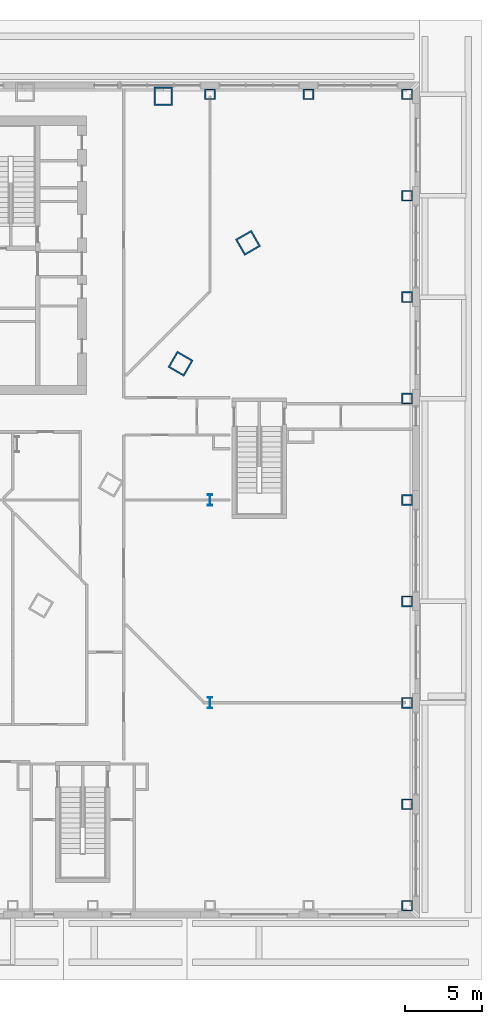
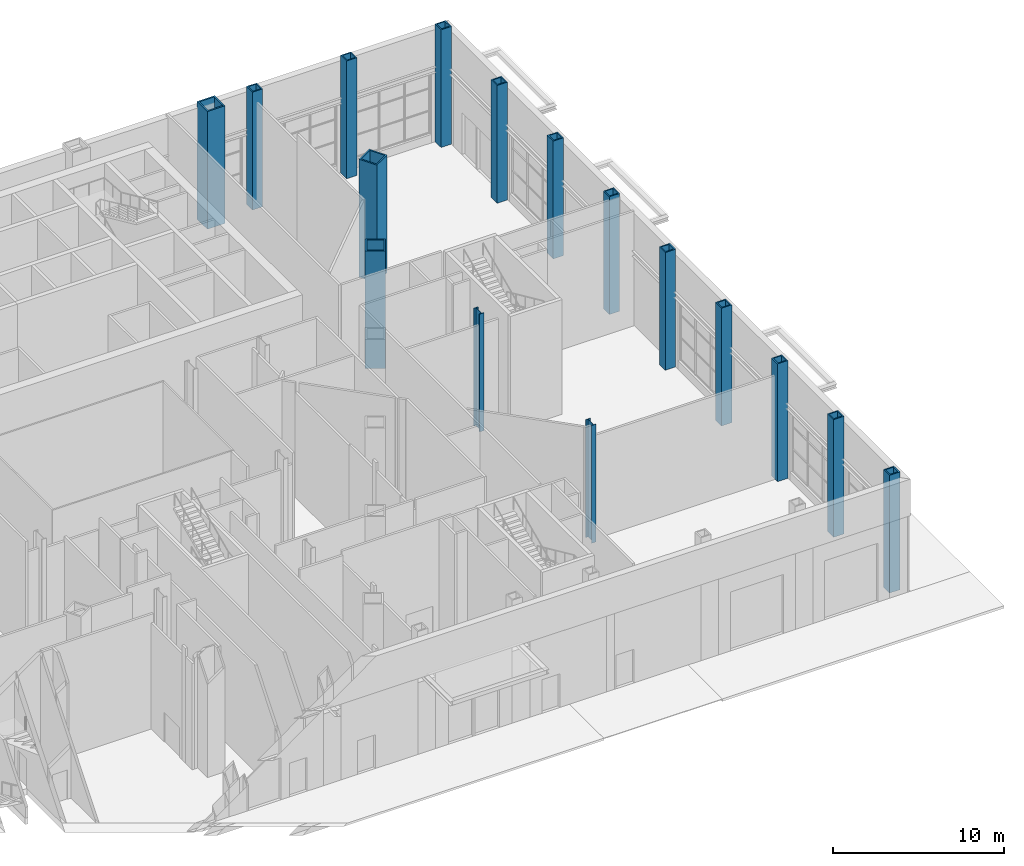
# One storey, part 4 of 34: 16 columns.
"""IFC4 building model written with IfcOpenShell, lengths in metres."""

from ifc_helpers import new_model, si_unit, direction, frame, origin, origin_2d, place, context, subcontext, project, spatial, hollow_rectangle, i_section, extrude, material, material_profile, profile_set, type_object, element, save


model = new_model("IFC4")

# Units and contexts
model_context = context("Model", 3, precision=1e-05, world=origin(), true_north=direction((0.0, 1.0)))
body_context = subcontext(model_context, "Body", "Model", "MODEL_VIEW")
ifc_project = project(units=[si_unit("LENGTHUNIT", "METRE"), si_unit("AREAUNIT", "SQUARE_METRE"), si_unit("VOLUMEUNIT", "CUBIC_METRE"), si_unit("PLANEANGLEUNIT", "RADIAN"), si_unit("MASSUNIT", "GRAM", prefix="KILO")], contexts=[model_context])

# Site, building, storey
site_placement = place(None, origin())
site = spatial("IfcSite", under=ifc_project, at=site_placement, CompositionType="ELEMENT")
building_placement = place(site_placement, origin())
building = spatial("IfcBuilding", under=site, at=building_placement, Name="Njiva Tower", CompositionType="ELEMENT")
storey_placement = place(building_placement, origin())
storey = spatial("IfcBuildingStorey", under=building, at=storey_placement, Name="L00", CompositionType="ELEMENT", Elevation=0.0)

# Columns
ifc_material = material(Name="Steel S355 J2", Category="steel")
ifc_material_profile_1 = material_profile(ifc_material, hollow_rectangle(XDim=1.2, YDim=1.2, WallThickness=0.1, at=origin_2d()), Name="BOX 1200x1200x100")
ifc_profile_set_1 = profile_set([ifc_material_profile_1], Name="Steel S355 J2")
column_type_1 = type_object("IfcColumnType", Name="C1 Mega-column BOX 1200x1200x100", PredefinedType="COLUMN", material=ifc_profile_set_1)
for number, where, z_axis, x_axis, name in (
    (1, (22.461, 19.267, 0.0), (0.0, 0.0, 1.0), (-1.0, 0.0, 0.0), "Mega-column L00-C01"),
    (2, (23.569, 2.0, 0.0), (0.0, 0.0, 1.0), (0.5, 0.866025403784, 0.0), "Mega-column L00-C17"),
    (3, (27.923, 9.808, 0.0), (0.0, 0.0, 1.0), (-0.5, 0.866025403784, 0.0), "Mega-column L00-C18"),
):
    element("IfcColumn", number, at=place(storey_placement, frame(where, z_axis=z_axis, x_axis=x_axis)), inside=storey, type_object=column_type_1, Name=name, PredefinedType="COLUMN", context=body_context, shape_type="SweptSolid", body=[
        extrude(hollow_rectangle(XDim=1.2, YDim=1.2, WallThickness=0.1, at=origin_2d()), origin(), (0.0, 0.0, 1.0), 8.4),
    ])
ifc_material_profile_2 = material_profile(ifc_material, hollow_rectangle(XDim=0.7, YDim=0.7, WallThickness=0.08, at=origin_2d()), Name="BOX 700x700x80")
ifc_profile_set_2 = profile_set([ifc_material_profile_2], Name="Steel S355 J2")
column_type_2 = type_object("IfcColumnType", Name="C3 Podium perimeter column BOX 700x700x80", PredefinedType="COLUMN", material=ifc_profile_set_2)
for number, where, z_axis, x_axis, name in (
    (4, (38.2, -33.0, 0.0), (0.0, 0.0, 1.0), (0.0, 1.0, 0.0), "Podium perimeter column L00-C27"),
    (5, (38.2, -26.45, 0.0), (0.0, 0.0, 1.0), (0.0, 1.0, 0.0), "Podium perimeter column L00-C28"),
    (6, (38.2, -19.9, 0.0), (0.0, 0.0, 1.0), (0.0, 1.0, 0.0), "Podium perimeter column L00-C29"),
    (7, (38.2, -13.35, 0.0), (0.0, 0.0, 1.0), (0.0, 1.0, 0.0), "Podium perimeter column L00-C30"),
    (8, (38.2, -6.8, 0.0), (0.0, 0.0, 1.0), (0.0, 1.0, 0.0), "Podium perimeter column L00-C31"),
    (9, (38.2, -0.25, 0.0), (0.0, 0.0, 1.0), (0.0, 1.0, 0.0), "Podium perimeter column L00-C32"),
    (10, (38.2, 6.3, 0.0), (0.0, 0.0, 1.0), (0.0, 1.0, 0.0), "Podium perimeter column L00-C33"),
    (11, (38.2, 12.85, 0.0), (0.0, 0.0, 1.0), (0.0, 1.0, 0.0), "Podium perimeter column L00-C34"),
    (12, (38.2, 19.4, 0.0), (0.0, 0.0, 1.0), (-1.0, 0.0, 0.0), "Podium perimeter column L00-C35"),
    (13, (31.833, 19.4, 0.0), (0.0, 0.0, 1.0), (-1.0, 0.0, 0.0), "Podium perimeter column L00-C36"),
    (14, (25.467, 19.4, 0.0), (0.0, 0.0, 1.0), (-1.0, 0.0, 0.0), "Podium perimeter column L00-C37"),
):
    element("IfcColumn", number, at=place(storey_placement, frame(where, z_axis=z_axis, x_axis=x_axis)), inside=storey, type_object=column_type_2, Name=name, PredefinedType="COLUMN", context=body_context, shape_type="SweptSolid", body=[
        extrude(hollow_rectangle(XDim=0.7, YDim=0.7, WallThickness=0.08, at=origin_2d()), origin(), (0.0, 0.0, 1.0), 8.4),
    ])
ifc_material_profile_3 = material_profile(ifc_material, i_section(OverallWidth=0.304, OverallDepth=0.716, WebThickness=0.021, FlangeThickness=0.04, at=origin_2d()), Name="HEM 700")
ifc_profile_set_3 = profile_set([ifc_material_profile_3], Name="Steel S355 J2")
column_type_3 = type_object("IfcColumnType", Name="C4 Station column HEM 700", PredefinedType="COLUMN", material=ifc_profile_set_3)
for number, where, z_axis, x_axis, name in (
    (15, (25.467, -6.8, 0.0), (0.0, 0.0, 1.0), (1.0, 0.0, 0.0), "Station column L00-C64"),
    (16, (25.467, -19.9, 0.0), (0.0, 0.0, 1.0), (1.0, 0.0, 0.0), "Station column L00-C65"),
):
    element("IfcColumn", number, at=place(storey_placement, frame(where, z_axis=z_axis, x_axis=x_axis)), inside=storey, type_object=column_type_3, Name=name, PredefinedType="COLUMN", context=body_context, shape_type="SweptSolid", body=[
        extrude(i_section(OverallWidth=0.304, OverallDepth=0.716, WebThickness=0.021, FlangeThickness=0.04, at=origin_2d()), origin(), (0.0, 0.0, 1.0), 8.4),
    ])

save(model, "model.ifc")
